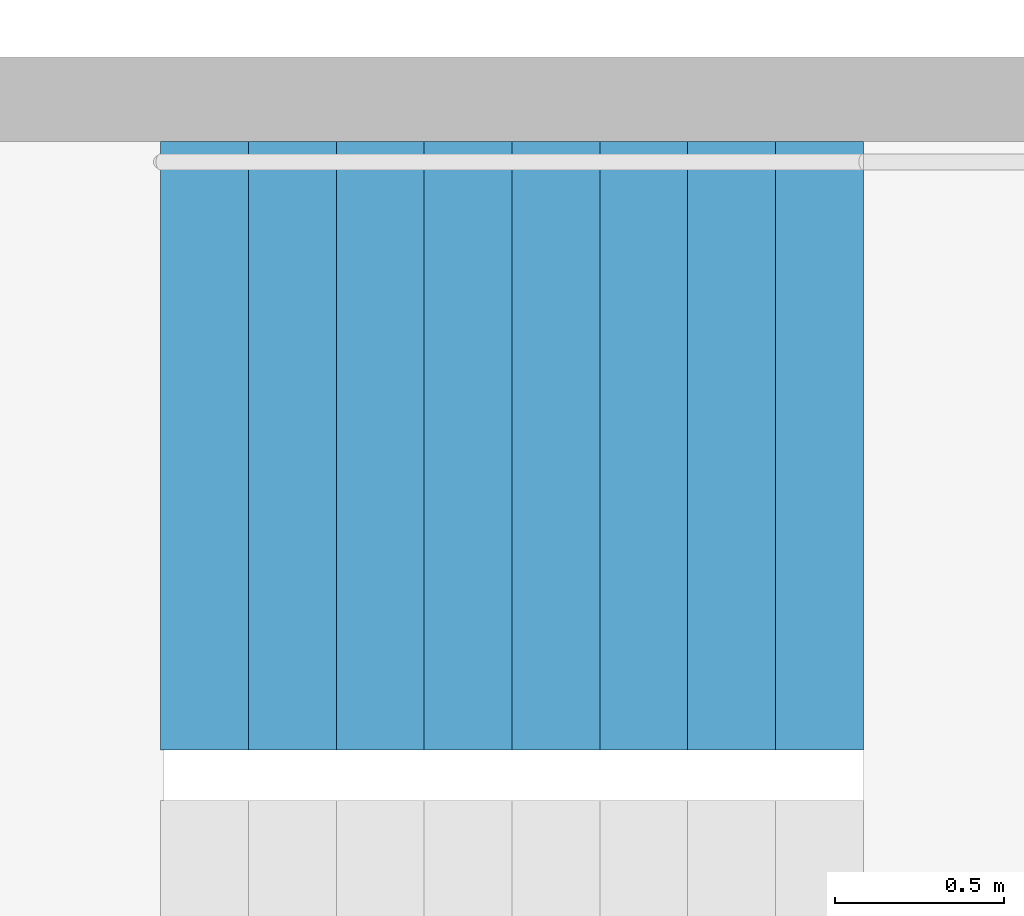
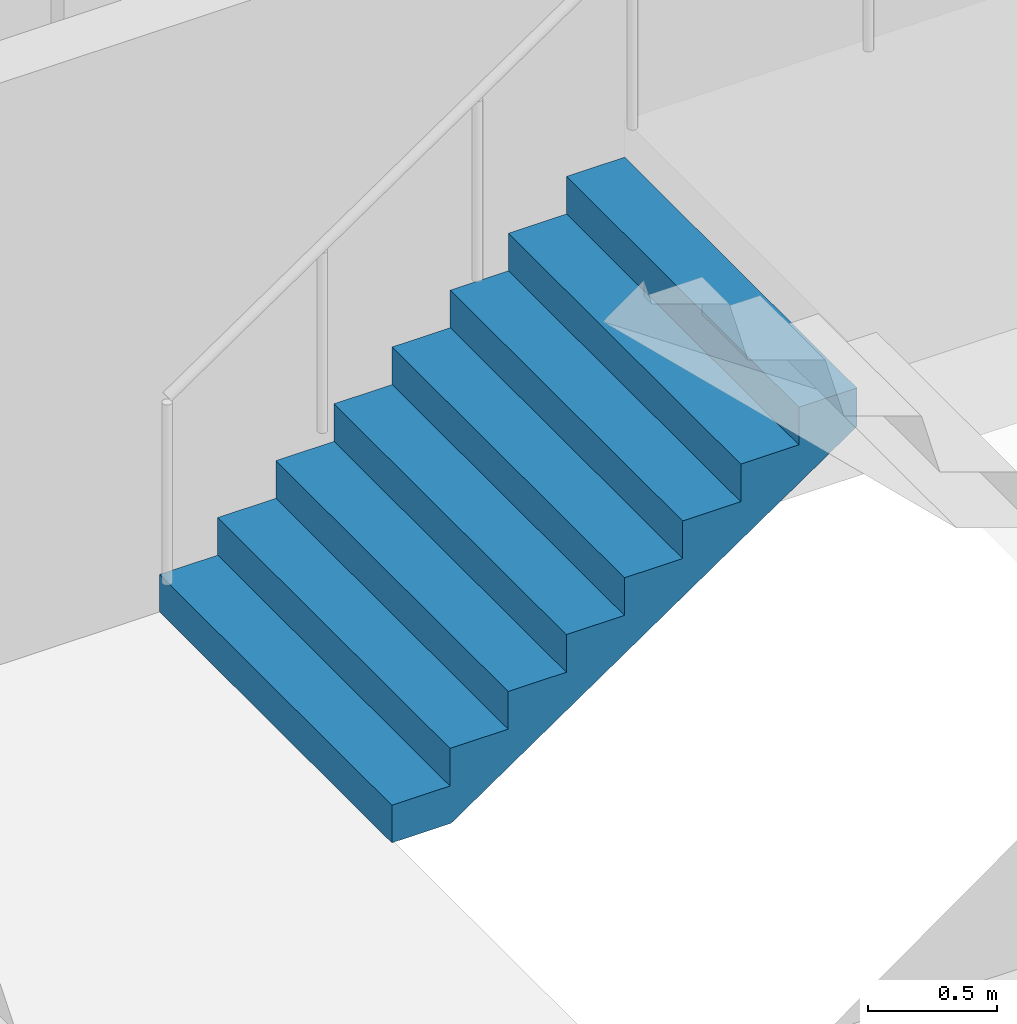
# One storey, part 22 of 25: 1 stair flight, 1 element without a shape of its own.
"""IFC4 building model written with IfcOpenShell, lengths in metres."""

import ifcopenshell
import ifcopenshell.guid

model = None  # the IFC model being written
_history = None  # IfcOwnerHistory: only IFC2X3 demands one
_inside = {}  # id of a spatial element -> (the spatial element, [elements in it])
_under = {}  # id of a project, library or spatial element -> (it, [spatial elements below it])
_declared = {}  # id of a project -> (the project, [libraries it declares])
_typed = {}  # id of a type object -> (the type object, [elements of that type])
_made_of = {}  # id of a material, layer set ... -> (it, [elements and type objects made of it])


def new_model(schema):
    """Start an empty IFC model of exactly this schema.

    Asked for "IFC4X3", IfcOpenShell would pick the latest addendum, in which some entities
    have other attributes; the version numbers below select the first issue.
    IFC2X3 requires an IfcOwnerHistory on every rooted entity: one is made here for all.
    """
    global model, _history
    if schema == "IFC4X3":
        model = ifcopenshell.file(schema_version=(4, 3, 0, 0))
    else:
        model = ifcopenshell.file(schema=schema)
    _inside.clear()
    _under.clear()
    _declared.clear()
    _typed.clear()
    _made_of.clear()
    _history = None
    if model.schema == "IFC2X3":
        org = make("IfcOrganization", Name="unknown")
        user = make(
            "IfcPersonAndOrganization",
            ThePerson=make("IfcPerson", FamilyName="unknown"),
            TheOrganization=org,
        )
        app = make(
            "IfcApplication",
            ApplicationDeveloper=org,
            Version="unknown",
            ApplicationFullName="unknown",
            ApplicationIdentifier="unknown",
        )
        _history = make(
            "IfcOwnerHistory",
            OwningUser=user,
            OwningApplication=app,
            ChangeAction="ADDED",
            CreationDate=0,
        )
    return model


def make(cls, **values):
    """One entity of the class cls with the attributes given. An attribute that is None is left unset."""
    return model.create_entity(
        cls, **{name: value for name, value in values.items() if value is not None}
    )


def rooted(cls, **values):
    """An entity with a GlobalId (a new one), such as an element, a storey or a relation."""
    return make(cls, GlobalId=ifcopenshell.guid.new(), OwnerHistory=_history, **values)


def si_unit(unit_type, name, prefix=None):
    """IfcSIUnit, for example si_unit("LENGTHUNIT", "METRE", prefix="MILLI")."""
    return make("IfcSIUnit", UnitType=unit_type, Prefix=prefix, Name=name)


def assignment(units):
    """IfcUnitAssignment: the units of a project."""
    return None if units is None else make("IfcUnitAssignment", Units=units)


def point(xyz):
    """IfcCartesianPoint."""
    return None if xyz is None else make("IfcCartesianPoint", Coordinates=xyz)


def direction(xyz):
    """IfcDirection."""
    return None if xyz is None else make("IfcDirection", DirectionRatios=xyz)


def frame(location, z_axis=None, x_axis=None):
    """IfcAxis2Placement3D, a coordinate frame: its origin and axes. An axis left out is left unset."""
    return make(
        "IfcAxis2Placement3D",
        Location=point(location),
        Axis=direction(z_axis),
        RefDirection=direction(x_axis),
    )


def origin():
    """The frame at (0, 0, 0) with its axes left unset."""
    return frame((0.0, 0.0, 0.0))


def place(relative_to, where):
    """IfcLocalPlacement: puts the frame where relative to a parent placement (None: the world)."""
    return make(
        "IfcLocalPlacement", PlacementRelTo=relative_to, RelativePlacement=where
    )


def context(
    kind, dimensions, precision=None, world=None, true_north=None, identifier=None
):
    """IfcGeometricRepresentationContext, for example the 3D "Model" context."""
    return make(
        "IfcGeometricRepresentationContext",
        ContextIdentifier=identifier,
        ContextType=kind,
        CoordinateSpaceDimension=dimensions,
        Precision=precision,
        WorldCoordinateSystem=world,
        TrueNorth=true_north,
    )


def subcontext(parent, identifier, kind, view, scale=None):
    """IfcGeometricRepresentationSubContext, for example "Body" below "Model"."""
    return make(
        "IfcGeometricRepresentationSubContext",
        ContextIdentifier=identifier,
        ContextType=kind,
        ParentContext=parent,
        TargetScale=scale,
        TargetView=view,
    )


def project(units=None, contexts=None):
    """IfcProject with its units and contexts."""
    return rooted(
        "IfcProject",
        Name="project",
        RepresentationContexts=contexts,
        UnitsInContext=assignment(units),
    )


def spatial(cls, under=None, at=None, **own):
    """A site, building, storey or space (cls), placed at a placement, below another one or the project."""
    s = rooted(cls, ObjectPlacement=at, **own)
    if under is not None:
        _under.setdefault(under.id(), (under, []))[1].append(s)
    return s


def point_list(points):
    """IfcCartesianPointList2D or 3D."""
    cls = (
        "IfcCartesianPointList2D" if len(points[0]) == 2 else "IfcCartesianPointList3D"
    )
    return make(cls, CoordList=points)


def triangles(points, corners, closed=None, point_numbers=None):
    """IfcTriangulatedFaceSet: each triangle names its three corners, points numbered from 1."""
    return make(
        "IfcTriangulatedFaceSet",
        Coordinates=point_list(points),
        Closed=closed,
        CoordIndex=corners,
        PnIndex=point_numbers,
    )


def shape(context_of_items, identifier, shape_type, items):
    """IfcShapeRepresentation: the items that make up one representation, for example the "Body"."""
    return make(
        "IfcShapeRepresentation",
        ContextOfItems=context_of_items,
        RepresentationIdentifier=identifier,
        RepresentationType=shape_type,
        Items=items,
    )


def material(Name=None, Category=None):
    """IfcMaterial."""
    return make("IfcMaterial", Name=Name, Category=Category)


def made_of(thing, what):
    """Note that an element or type object is made of a material, layer set ...; save() writes the relation."""
    if what is not None:
        _made_of.setdefault(what.id(), (what, []))[1].append(thing)
    return thing


def type_object(cls, material=None, **own):
    """A type object (cls), such as IfcWallType, which elements share."""
    return made_of(rooted(cls, **own), material)


def element(
    cls,
    number,
    at=None,
    inside=None,
    cuts=None,
    type_object=None,
    material=None,
    context=None,
    identifier="Body",
    shape_type=None,
    held_by="IfcProductDefinitionShape",
    body=None,
    shapes=None,
    **own,
):
    """One element of the class cls, such as IfcWall. Its Tag is "e" and its number.

    at: its placement. inside: the storey or other place that contains it. cuts: it is an
    opening in that element (IfcRelVoidsElement). A single representation is given by context,
    identifier, shape_type and body (its items); several are given by shapes. held_by: the class
    of the entity that holds the representations. save() writes the other relations.
    """
    e = rooted(cls, Tag="e%d" % number, ObjectPlacement=at, **own)
    if body is not None:
        shapes = [shape(context, identifier, shape_type, body)]
    if shapes is not None:
        e.Representation = make(held_by, Representations=shapes)
    if inside is not None:
        _inside.setdefault(inside.id(), (inside, []))[1].append(e)
    if cuts is not None:
        rooted(
            "IfcRelVoidsElement", RelatingBuildingElement=cuts, RelatedOpeningElement=e
        )
    if type_object is not None:
        _typed.setdefault(type_object.id(), (type_object, []))[1].append(e)
    return made_of(e, material)


def aggregate(whole, parts):
    """IfcRelAggregates: a whole, such as a stair, and the parts it consists of."""
    return rooted("IfcRelAggregates", RelatingObject=whole, RelatedObjects=parts)


def save(model, path):
    """Write the relations noted so far, then the file.

    IfcRelAggregates (storeys below a building ...), IfcRelContainedInSpatialStructure (elements
    in a storey), IfcRelDefinesByType, IfcRelAssociatesMaterial and IfcRelDeclares: one each for
    every whole, place, type object, material and project.
    """
    for whole, parts in _under.values():
        aggregate(whole, parts)
    for where, things in _inside.values():
        rooted(
            "IfcRelContainedInSpatialStructure",
            RelatedElements=things,
            RelatingStructure=where,
        )
    for kind, things in _typed.values():
        rooted("IfcRelDefinesByType", RelatedObjects=things, RelatingType=kind)
    for what, things in _made_of.values():
        rooted("IfcRelAssociatesMaterial", RelatedObjects=things, RelatingMaterial=what)
    for by, libraries in _declared.values():
        rooted("IfcRelDeclares", RelatingContext=by, RelatedDefinitions=libraries)
    model.write(path)


model = new_model("IFC4")

# Units and contexts
model_context = context("Model", 3, precision=1e-05, world=origin(), true_north=direction((0.0, 1.0)))
body_context = subcontext(model_context, "Body", "Model", "MODEL_VIEW")
ifc_project = project(units=[si_unit("LENGTHUNIT", "METRE"), si_unit("AREAUNIT", "SQUARE_METRE"), si_unit("VOLUMEUNIT", "CUBIC_METRE"), si_unit("PLANEANGLEUNIT", "RADIAN"), si_unit("MASSUNIT", "GRAM", prefix="KILO")], contexts=[model_context])

# Site, building, storey
site_placement = place(None, origin())
site = spatial("IfcSite", under=ifc_project, at=site_placement, CompositionType="ELEMENT")
building_placement = place(site_placement, origin())
building = spatial("IfcBuilding", under=site, at=building_placement, Name="Hakoniwa Tower and Hamabe Station Hall", CompositionType="ELEMENT")
storey_placement = place(building_placement, frame((0.0, 0.0, 147.0)))
storey = spatial("IfcBuildingStorey", under=building, at=storey_placement, Name="L41", CompositionType="ELEMENT", Elevation=147.0)

# Stair, stair flight
ifc_material_1 = material(Name="Concrete C40", Category="concrete")
stair_type = type_object("IfcStairType", Name="ESCAPE STAIR 1800", PredefinedType="HALF_TURN_STAIR", material=ifc_material_1)
stair_placement = place(storey_placement, origin())
stair = element("IfcStair", 1, at=stair_placement, inside=storey, type_object=stair_type, Name="Escape stair ST-4 L41", PredefinedType="HALF_TURN_STAIR")
ifc_material_2 = material(Name="Concrete C40", Category="concrete")
stair_flight_type = type_object("IfcStairFlightType", Name="STAIR FLIGHT 1800", PredefinedType="STRAIGHT", material=ifc_material_2)
stair_flight_placement = place(storey_placement, frame((23.39990234375, -4.64990234375, 0.0), z_axis=(0.0, 0.0, 1.0), x_axis=(1.0, 0.0, 0.0)))
stair_flight = element("IfcStairFlight", 2, at=stair_flight_placement, type_object=stair_flight_type, Name="ST-4 flight 1", NumberOfRisers=9, NumberOfTreads=8, PredefinedType="STRAIGHT", RiserHeight=0.177777778, TreadLength=0.26, context=body_context, shape_type="Tessellation", body=[
    triangles([(0.0, 0.89990234375, 0.0), (0.260009765625, 0.89990234375, 0.0), (0.265625, 0.89990234375, 0.0), (0.52001953125, 0.89990234375, 0.174072265625), (0.780029296875, 0.89990234375, 0.351806640625), (1.0400390625, 0.89990234375, 0.529541015625), (1.300048828125, 0.89990234375, 0.707275390625), (1.56005859375, 0.89990234375, 0.885009765625), (1.820068359375, 0.89990234375, 1.062744140625), (2.080078125, 0.89990234375, 1.24072265625), (2.080078125, 0.89990234375, 1.422119140625), (1.820068359375, 0.89990234375, 1.422119140625), (1.820068359375, 0.89990234375, 1.244384765625), (1.56005859375, 0.89990234375, 1.244384765625), (1.56005859375, 0.89990234375, 1.066650390625), (1.300048828125, 0.89990234375, 1.066650390625), (1.300048828125, 0.89990234375, 0.888916015625), (1.0400390625, 0.89990234375, 0.888916015625), (1.0400390625, 0.89990234375, 0.711181640625), (0.780029296875, 0.89990234375, 0.711181640625), (0.780029296875, 0.89990234375, 0.533447265625), (0.52001953125, 0.89990234375, 0.533447265625), (0.52001953125, 0.89990234375, 0.35546875), (0.265625, 0.89990234375, 0.35546875), (0.260009765625, 0.89990234375, 0.35546875), (0.260009765625, 0.89990234375, 0.177734375), (0.0, 0.89990234375, 0.177734375), (0.0, 0.06005859375, 0.0), (0.260009765625, 0.06005859375, 0.0), (0.265625, 0.06005859375, 0.0), (0.52001953125, 0.06005859375, 0.174072265625), (0.780029296875, 0.06005859375, 0.351806640625), (1.0400390625, 0.06005859375, 0.529541015625), (1.300048828125, 0.06005859375, 0.707275390625), (1.56005859375, 0.06005859375, 0.885009765625), (1.820068359375, 0.06005859375, 1.062744140625), (2.080078125, 0.06005859375, 1.24072265625), (2.080078125, 0.06005859375, 1.422119140625), (1.820068359375, 0.06005859375, 1.422119140625), (1.820068359375, 0.06005859375, 1.244384765625), (1.56005859375, 0.06005859375, 1.244384765625), (1.56005859375, 0.06005859375, 1.066650390625), (1.300048828125, 0.06005859375, 1.066650390625), (1.300048828125, 0.06005859375, 0.888916015625), (1.0400390625, 0.06005859375, 0.888916015625), (1.0400390625, 0.06005859375, 0.711181640625), (0.780029296875, 0.06005859375, 0.711181640625), (0.780029296875, 0.06005859375, 0.533447265625), (0.52001953125, 0.06005859375, 0.533447265625), (0.52001953125, 0.06005859375, 0.35546875), (0.265625, 0.06005859375, 0.35546875), (0.260009765625, 0.06005859375, 0.35546875), (0.260009765625, 0.06005859375, 0.177734375), (0.0, 0.06005859375, 0.177734375), (0.0, 0.04296875, 0.0), (0.260009765625, 0.04296875, 0.0), (0.265625, 0.04296875, 0.0), (0.52001953125, 0.04296875, 0.174072265625), (0.780029296875, 0.04296875, 0.351806640625), (1.0400390625, 0.04296875, 0.529541015625), (1.300048828125, 0.04296875, 0.707275390625), (1.56005859375, 0.04296875, 0.885009765625), (1.820068359375, 0.04296875, 1.062744140625), (2.080078125, 0.04296875, 1.24072265625), (2.080078125, 0.04296875, 1.422119140625), (1.820068359375, 0.04296875, 1.422119140625), (1.820068359375, 0.04296875, 1.244384765625), (1.56005859375, 0.04296875, 1.244384765625), (1.56005859375, 0.04296875, 1.066650390625), (1.300048828125, 0.04296875, 1.066650390625), (1.300048828125, 0.04296875, 0.888916015625), (1.0400390625, 0.04296875, 0.888916015625), (1.0400390625, 0.04296875, 0.711181640625), (0.780029296875, 0.04296875, 0.711181640625), (0.780029296875, 0.04296875, 0.533447265625), (0.52001953125, 0.04296875, 0.533447265625), (0.52001953125, 0.04296875, 0.35546875), (0.265625, 0.04296875, 0.35546875), (0.260009765625, 0.04296875, 0.35546875), (0.260009765625, 0.04296875, 0.177734375), (0.0, 0.04296875, 0.177734375), (0.0, 0.025634765625, 0.0), (0.260009765625, 0.025634765625, 0.0), (0.265625, 0.025634765625, 0.0), (0.52001953125, 0.025634765625, 0.174072265625), (0.780029296875, 0.025634765625, 0.351806640625), (1.0400390625, 0.025634765625, 0.529541015625), (1.300048828125, 0.025634765625, 0.707275390625), (1.56005859375, 0.025634765625, 0.885009765625), (1.820068359375, 0.025634765625, 1.062744140625), (2.080078125, 0.025634765625, 1.24072265625), (2.080078125, 0.025634765625, 1.422119140625), (1.820068359375, 0.025634765625, 1.422119140625), (1.820068359375, 0.025634765625, 1.244384765625), (1.56005859375, 0.025634765625, 1.244384765625), (1.56005859375, 0.025634765625, 1.066650390625), (1.300048828125, 0.025634765625, 1.066650390625), (1.300048828125, 0.025634765625, 0.888916015625), (1.0400390625, 0.025634765625, 0.888916015625), (1.0400390625, 0.025634765625, 0.711181640625), (0.780029296875, 0.025634765625, 0.711181640625), (0.780029296875, 0.025634765625, 0.533447265625), (0.52001953125, 0.025634765625, 0.533447265625), (0.52001953125, 0.025634765625, 0.35546875), (0.265625, 0.025634765625, 0.35546875), (0.260009765625, 0.025634765625, 0.35546875), (0.260009765625, 0.025634765625, 0.177734375), (0.0, 0.025634765625, 0.177734375), (0.0, 0.008544921875, 0.0), (0.260009765625, 0.008544921875, 0.0), (0.265625, 0.008544921875, 0.0), (0.52001953125, 0.008544921875, 0.174072265625), (0.780029296875, 0.008544921875, 0.351806640625), (1.0400390625, 0.008544921875, 0.529541015625), (1.300048828125, 0.008544921875, 0.707275390625), (1.56005859375, 0.008544921875, 0.885009765625), (1.820068359375, 0.008544921875, 1.062744140625), (2.080078125, 0.008544921875, 1.24072265625), (2.080078125, 0.008544921875, 1.422119140625), (1.820068359375, 0.008544921875, 1.422119140625), (1.820068359375, 0.008544921875, 1.244384765625), (1.56005859375, 0.008544921875, 1.244384765625), (1.56005859375, 0.008544921875, 1.066650390625), (1.300048828125, 0.008544921875, 1.066650390625), (1.300048828125, 0.008544921875, 0.888916015625), (1.0400390625, 0.008544921875, 0.888916015625), (1.0400390625, 0.008544921875, 0.711181640625), (0.780029296875, 0.008544921875, 0.711181640625), (0.780029296875, 0.008544921875, 0.533447265625), (0.52001953125, 0.008544921875, 0.533447265625), (0.52001953125, 0.008544921875, 0.35546875), (0.265625, 0.008544921875, 0.35546875), (0.260009765625, 0.008544921875, 0.35546875), (0.260009765625, 0.008544921875, 0.177734375), (0.0, 0.008544921875, 0.177734375), (0.0, -0.008544921875, 0.0), (0.260009765625, -0.008544921875, 0.0), (0.265625, -0.008544921875, 0.0), (0.52001953125, -0.008544921875, 0.174072265625), (0.780029296875, -0.008544921875, 0.351806640625), (1.0400390625, -0.008544921875, 0.529541015625), (1.300048828125, -0.008544921875, 0.707275390625), (1.56005859375, -0.008544921875, 0.885009765625), (1.820068359375, -0.008544921875, 1.062744140625), (2.080078125, -0.008544921875, 1.24072265625), (2.080078125, -0.008544921875, 1.422119140625), (1.820068359375, -0.008544921875, 1.422119140625), (1.820068359375, -0.008544921875, 1.244384765625), (1.56005859375, -0.008544921875, 1.244384765625), (1.56005859375, -0.008544921875, 1.066650390625), (1.300048828125, -0.008544921875, 1.066650390625), (1.300048828125, -0.008544921875, 0.888916015625), (1.0400390625, -0.008544921875, 0.888916015625), (1.0400390625, -0.008544921875, 0.711181640625), (0.780029296875, -0.008544921875, 0.711181640625), (0.780029296875, -0.008544921875, 0.533447265625), (0.52001953125, -0.008544921875, 0.533447265625), (0.52001953125, -0.008544921875, 0.35546875), (0.265625, -0.008544921875, 0.35546875), (0.260009765625, -0.008544921875, 0.35546875), (0.260009765625, -0.008544921875, 0.177734375), (0.0, -0.008544921875, 0.177734375), (0.0, -0.025634765625, 0.0), (0.260009765625, -0.025634765625, 0.0), (0.265625, -0.025634765625, 0.0), (0.52001953125, -0.025634765625, 0.174072265625), (0.780029296875, -0.025634765625, 0.351806640625), (1.0400390625, -0.025634765625, 0.529541015625), (1.300048828125, -0.025634765625, 0.707275390625), (1.56005859375, -0.025634765625, 0.885009765625), (1.820068359375, -0.025634765625, 1.062744140625), (2.080078125, -0.025634765625, 1.24072265625), (2.080078125, -0.025634765625, 1.422119140625), (1.820068359375, -0.025634765625, 1.422119140625), (1.820068359375, -0.025634765625, 1.244384765625), (1.56005859375, -0.025634765625, 1.244384765625), (1.56005859375, -0.025634765625, 1.066650390625), (1.300048828125, -0.025634765625, 1.066650390625), (1.300048828125, -0.025634765625, 0.888916015625), (1.0400390625, -0.025634765625, 0.888916015625), (1.0400390625, -0.025634765625, 0.711181640625), (0.780029296875, -0.025634765625, 0.711181640625), (0.780029296875, -0.025634765625, 0.533447265625), (0.52001953125, -0.025634765625, 0.533447265625), (0.52001953125, -0.025634765625, 0.35546875), (0.265625, -0.025634765625, 0.35546875), (0.260009765625, -0.025634765625, 0.35546875), (0.260009765625, -0.025634765625, 0.177734375), (0.0, -0.025634765625, 0.177734375), (0.0, -0.04296875, 0.0), (0.260009765625, -0.04296875, 0.0), (0.265625, -0.04296875, 0.0), (0.52001953125, -0.04296875, 0.174072265625), (0.780029296875, -0.04296875, 0.351806640625), (1.0400390625, -0.04296875, 0.529541015625), (1.300048828125, -0.04296875, 0.707275390625), (1.56005859375, -0.04296875, 0.885009765625), (1.820068359375, -0.04296875, 1.062744140625), (2.080078125, -0.04296875, 1.24072265625), (2.080078125, -0.04296875, 1.422119140625), (1.820068359375, -0.04296875, 1.422119140625), (1.820068359375, -0.04296875, 1.244384765625), (1.56005859375, -0.04296875, 1.244384765625), (1.56005859375, -0.04296875, 1.066650390625), (1.300048828125, -0.04296875, 1.066650390625), (1.300048828125, -0.04296875, 0.888916015625), (1.0400390625, -0.04296875, 0.888916015625), (1.0400390625, -0.04296875, 0.711181640625), (0.780029296875, -0.04296875, 0.711181640625), (0.780029296875, -0.04296875, 0.533447265625), (0.52001953125, -0.04296875, 0.533447265625), (0.52001953125, -0.04296875, 0.35546875), (0.265625, -0.04296875, 0.35546875), (0.260009765625, -0.04296875, 0.35546875), (0.260009765625, -0.04296875, 0.177734375), (0.0, -0.04296875, 0.177734375), (0.0, -0.06005859375, 0.0), (0.260009765625, -0.06005859375, 0.0), (0.265625, -0.06005859375, 0.0), (0.52001953125, -0.06005859375, 0.174072265625), (0.780029296875, -0.06005859375, 0.351806640625), (1.0400390625, -0.06005859375, 0.529541015625), (1.300048828125, -0.06005859375, 0.707275390625), (1.56005859375, -0.06005859375, 0.885009765625), (1.820068359375, -0.06005859375, 1.062744140625), (2.080078125, -0.06005859375, 1.24072265625), (2.080078125, -0.06005859375, 1.422119140625), (1.820068359375, -0.06005859375, 1.422119140625), (1.820068359375, -0.06005859375, 1.244384765625), (1.56005859375, -0.06005859375, 1.244384765625), (1.56005859375, -0.06005859375, 1.066650390625), (1.300048828125, -0.06005859375, 1.066650390625), (1.300048828125, -0.06005859375, 0.888916015625), (1.0400390625, -0.06005859375, 0.888916015625), (1.0400390625, -0.06005859375, 0.711181640625), (0.780029296875, -0.06005859375, 0.711181640625), (0.780029296875, -0.06005859375, 0.533447265625), (0.52001953125, -0.06005859375, 0.533447265625), (0.52001953125, -0.06005859375, 0.35546875), (0.265625, -0.06005859375, 0.35546875), (0.260009765625, -0.06005859375, 0.35546875), (0.260009765625, -0.06005859375, 0.177734375), (0.0, -0.06005859375, 0.177734375), (0.0, -0.89990234375, 0.0), (0.260009765625, -0.89990234375, 0.0), (0.265625, -0.89990234375, 0.0), (0.52001953125, -0.89990234375, 0.174072265625), (0.780029296875, -0.89990234375, 0.351806640625), (1.0400390625, -0.89990234375, 0.529541015625), (1.300048828125, -0.89990234375, 0.707275390625), (1.56005859375, -0.89990234375, 0.885009765625), (1.820068359375, -0.89990234375, 1.062744140625), (2.080078125, -0.89990234375, 1.24072265625), (2.080078125, -0.89990234375, 1.422119140625), (1.820068359375, -0.89990234375, 1.422119140625), (1.820068359375, -0.89990234375, 1.244384765625), (1.56005859375, -0.89990234375, 1.244384765625), (1.56005859375, -0.89990234375, 1.066650390625), (1.300048828125, -0.89990234375, 1.066650390625), (1.300048828125, -0.89990234375, 0.888916015625), (1.0400390625, -0.89990234375, 0.888916015625), (1.0400390625, -0.89990234375, 0.711181640625), (0.780029296875, -0.89990234375, 0.711181640625), (0.780029296875, -0.89990234375, 0.533447265625), (0.52001953125, -0.89990234375, 0.533447265625), (0.52001953125, -0.89990234375, 0.35546875), (0.265625, -0.89990234375, 0.35546875), (0.260009765625, -0.89990234375, 0.35546875), (0.260009765625, -0.89990234375, 0.177734375), (0.0, -0.89990234375, 0.177734375)], [[2, 27, 26], [245, 269, 270], [2, 1, 27], [245, 270, 244], [3, 25, 24], [246, 267, 268], [3, 26, 25], [246, 268, 269], [3, 2, 26], [246, 269, 245], [4, 24, 23], [247, 266, 267], [4, 3, 24], [247, 267, 246], [5, 22, 21], [248, 264, 265], [5, 23, 22], [248, 265, 266], [5, 4, 23], [248, 266, 247], [6, 20, 19], [249, 262, 263], [6, 21, 20], [249, 263, 264], [6, 5, 21], [249, 264, 248], [7, 18, 17], [250, 260, 261], [7, 19, 18], [250, 261, 262], [7, 6, 19], [250, 262, 249], [8, 16, 15], [251, 258, 259], [8, 17, 16], [251, 259, 260], [8, 7, 17], [251, 260, 250], [9, 14, 13], [252, 256, 257], [9, 15, 14], [252, 257, 258], [9, 8, 15], [252, 258, 251], [10, 12, 11], [253, 254, 255], [10, 13, 12], [253, 255, 256], [10, 9, 13], [253, 256, 252], [1, 2, 29], [1, 29, 28], [28, 29, 56], [28, 56, 55], [55, 56, 83], [55, 83, 82], [82, 83, 110], [82, 110, 109], [109, 110, 137], [109, 137, 136], [136, 137, 164], [136, 164, 163], [163, 164, 191], [163, 191, 190], [190, 191, 218], [190, 218, 217], [217, 218, 245], [217, 245, 244], [2, 3, 30], [2, 30, 29], [29, 30, 57], [29, 57, 56], [56, 57, 84], [56, 84, 83], [83, 84, 111], [83, 111, 110], [110, 111, 138], [110, 138, 137], [137, 138, 165], [137, 165, 164], [164, 165, 192], [164, 192, 191], [191, 192, 219], [191, 219, 218], [218, 219, 246], [218, 246, 245], [3, 4, 31], [3, 31, 30], [30, 31, 58], [30, 58, 57], [57, 58, 85], [57, 85, 84], [84, 85, 112], [84, 112, 111], [111, 112, 139], [111, 139, 138], [138, 139, 166], [138, 166, 165], [165, 166, 193], [165, 193, 192], [192, 193, 220], [192, 220, 219], [219, 220, 247], [219, 247, 246], [4, 5, 32], [4, 32, 31], [31, 32, 59], [31, 59, 58], [58, 59, 86], [58, 86, 85], [85, 86, 113], [85, 113, 112], [112, 113, 140], [112, 140, 139], [139, 140, 167], [139, 167, 166], [166, 167, 194], [166, 194, 193], [193, 194, 221], [193, 221, 220], [220, 221, 248], [220, 248, 247], [5, 6, 33], [5, 33, 32], [32, 33, 60], [32, 60, 59], [59, 60, 87], [59, 87, 86], [86, 87, 114], [86, 114, 113], [113, 114, 141], [113, 141, 140], [140, 141, 168], [140, 168, 167], [167, 168, 195], [167, 195, 194], [194, 195, 222], [194, 222, 221], [221, 222, 249], [221, 249, 248], [6, 7, 34], [6, 34, 33], [33, 34, 61], [33, 61, 60], [60, 61, 88], [60, 88, 87], [87, 88, 115], [87, 115, 114], [114, 115, 142], [114, 142, 141], [141, 142, 169], [141, 169, 168], [168, 169, 196], [168, 196, 195], [195, 196, 223], [195, 223, 222], [222, 223, 250], [222, 250, 249], [7, 8, 35], [7, 35, 34], [34, 35, 62], [34, 62, 61], [61, 62, 89], [61, 89, 88], [88, 89, 116], [88, 116, 115], [115, 116, 143], [115, 143, 142], [142, 143, 170], [142, 170, 169], [169, 170, 197], [169, 197, 196], [196, 197, 224], [196, 224, 223], [223, 224, 251], [223, 251, 250], [8, 9, 36], [8, 36, 35], [35, 36, 63], [35, 63, 62], [62, 63, 90], [62, 90, 89], [89, 90, 117], [89, 117, 116], [116, 117, 144], [116, 144, 143], [143, 144, 171], [143, 171, 170], [170, 171, 198], [170, 198, 197], [197, 198, 225], [197, 225, 224], [224, 225, 252], [224, 252, 251], [9, 10, 37], [9, 37, 36], [36, 37, 64], [36, 64, 63], [63, 64, 91], [63, 91, 90], [90, 91, 118], [90, 118, 117], [117, 118, 145], [117, 145, 144], [144, 145, 172], [144, 172, 171], [171, 172, 199], [171, 199, 198], [198, 199, 226], [198, 226, 225], [225, 226, 253], [225, 253, 252], [10, 11, 38], [10, 38, 37], [37, 38, 65], [37, 65, 64], [64, 65, 92], [64, 92, 91], [91, 92, 119], [91, 119, 118], [118, 119, 146], [118, 146, 145], [145, 146, 173], [145, 173, 172], [172, 173, 200], [172, 200, 199], [199, 200, 227], [199, 227, 226], [226, 227, 254], [226, 254, 253], [11, 12, 39], [11, 39, 38], [38, 39, 66], [38, 66, 65], [65, 66, 93], [65, 93, 92], [92, 93, 120], [92, 120, 119], [119, 120, 147], [119, 147, 146], [146, 147, 174], [146, 174, 173], [173, 174, 201], [173, 201, 200], [200, 201, 228], [200, 228, 227], [227, 228, 255], [227, 255, 254], [12, 13, 40], [12, 40, 39], [39, 40, 67], [39, 67, 66], [66, 67, 94], [66, 94, 93], [93, 94, 121], [93, 121, 120], [120, 121, 148], [120, 148, 147], [147, 148, 175], [147, 175, 174], [174, 175, 202], [174, 202, 201], [201, 202, 229], [201, 229, 228], [228, 229, 256], [228, 256, 255], [13, 14, 41], [13, 41, 40], [40, 41, 68], [40, 68, 67], [67, 68, 95], [67, 95, 94], [94, 95, 122], [94, 122, 121], [121, 122, 149], [121, 149, 148], [148, 149, 176], [148, 176, 175], [175, 176, 203], [175, 203, 202], [202, 203, 230], [202, 230, 229], [229, 230, 257], [229, 257, 256], [14, 15, 42], [14, 42, 41], [41, 42, 69], [41, 69, 68], [68, 69, 96], [68, 96, 95], [95, 96, 123], [95, 123, 122], [122, 123, 150], [122, 150, 149], [149, 150, 177], [149, 177, 176], [176, 177, 204], [176, 204, 203], [203, 204, 231], [203, 231, 230], [230, 231, 258], [230, 258, 257], [15, 16, 43], [15, 43, 42], [42, 43, 70], [42, 70, 69], [69, 70, 97], [69, 97, 96], [96, 97, 124], [96, 124, 123], [123, 124, 151], [123, 151, 150], [150, 151, 178], [150, 178, 177], [177, 178, 205], [177, 205, 204], [204, 205, 232], [204, 232, 231], [231, 232, 259], [231, 259, 258], [16, 17, 44], [16, 44, 43], [43, 44, 71], [43, 71, 70], [70, 71, 98], [70, 98, 97], [97, 98, 125], [97, 125, 124], [124, 125, 152], [124, 152, 151], [151, 152, 179], [151, 179, 178], [178, 179, 206], [178, 206, 205], [205, 206, 233], [205, 233, 232], [232, 233, 260], [232, 260, 259], [17, 18, 45], [17, 45, 44], [44, 45, 72], [44, 72, 71], [71, 72, 99], [71, 99, 98], [98, 99, 126], [98, 126, 125], [125, 126, 153], [125, 153, 152], [152, 153, 180], [152, 180, 179], [179, 180, 207], [179, 207, 206], [206, 207, 234], [206, 234, 233], [233, 234, 261], [233, 261, 260], [18, 19, 46], [18, 46, 45], [45, 46, 73], [45, 73, 72], [72, 73, 100], [72, 100, 99], [99, 100, 127], [99, 127, 126], [126, 127, 154], [126, 154, 153], [153, 154, 181], [153, 181, 180], [180, 181, 208], [180, 208, 207], [207, 208, 235], [207, 235, 234], [234, 235, 262], [234, 262, 261], [19, 20, 47], [19, 47, 46], [46, 47, 74], [46, 74, 73], [73, 74, 101], [73, 101, 100], [100, 101, 128], [100, 128, 127], [127, 128, 155], [127, 155, 154], [154, 155, 182], [154, 182, 181], [181, 182, 209], [181, 209, 208], [208, 209, 236], [208, 236, 235], [235, 236, 263], [235, 263, 262], [20, 21, 48], [20, 48, 47], [47, 48, 75], [47, 75, 74], [74, 75, 102], [74, 102, 101], [101, 102, 129], [101, 129, 128], [128, 129, 156], [128, 156, 155], [155, 156, 183], [155, 183, 182], [182, 183, 210], [182, 210, 209], [209, 210, 237], [209, 237, 236], [236, 237, 264], [236, 264, 263], [21, 22, 49], [21, 49, 48], [48, 49, 76], [48, 76, 75], [75, 76, 103], [75, 103, 102], [102, 103, 130], [102, 130, 129], [129, 130, 157], [129, 157, 156], [156, 157, 184], [156, 184, 183], [183, 184, 211], [183, 211, 210], [210, 211, 238], [210, 238, 237], [237, 238, 265], [237, 265, 264], [22, 23, 50], [22, 50, 49], [49, 50, 77], [49, 77, 76], [76, 77, 104], [76, 104, 103], [103, 104, 131], [103, 131, 130], [130, 131, 158], [130, 158, 157], [157, 158, 185], [157, 185, 184], [184, 185, 212], [184, 212, 211], [211, 212, 239], [211, 239, 238], [238, 239, 266], [238, 266, 265], [23, 24, 51], [23, 51, 50], [50, 51, 78], [50, 78, 77], [77, 78, 105], [77, 105, 104], [104, 105, 132], [104, 132, 131], [131, 132, 159], [131, 159, 158], [158, 159, 186], [158, 186, 185], [185, 186, 213], [185, 213, 212], [212, 213, 240], [212, 240, 239], [239, 240, 267], [239, 267, 266], [24, 25, 52], [24, 52, 51], [51, 52, 79], [51, 79, 78], [78, 79, 106], [78, 106, 105], [105, 106, 133], [105, 133, 132], [132, 133, 160], [132, 160, 159], [159, 160, 187], [159, 187, 186], [186, 187, 214], [186, 214, 213], [213, 214, 241], [213, 241, 240], [240, 241, 268], [240, 268, 267], [25, 26, 53], [25, 53, 52], [52, 53, 80], [52, 80, 79], [79, 80, 107], [79, 107, 106], [106, 107, 134], [106, 134, 133], [133, 134, 161], [133, 161, 160], [160, 161, 188], [160, 188, 187], [187, 188, 215], [187, 215, 214], [214, 215, 242], [214, 242, 241], [241, 242, 269], [241, 269, 268], [26, 27, 54], [26, 54, 53], [53, 54, 81], [53, 81, 80], [80, 81, 108], [80, 108, 107], [107, 108, 135], [107, 135, 134], [134, 135, 162], [134, 162, 161], [161, 162, 189], [161, 189, 188], [188, 189, 216], [188, 216, 215], [215, 216, 243], [215, 243, 242], [242, 243, 270], [242, 270, 269], [27, 1, 28], [27, 28, 54], [54, 28, 55], [54, 55, 81], [81, 55, 82], [81, 82, 108], [108, 82, 109], [108, 109, 135], [135, 109, 136], [135, 136, 162], [162, 136, 163], [162, 163, 189], [189, 163, 190], [189, 190, 216], [216, 190, 217], [216, 217, 243], [243, 217, 244], [243, 244, 270]], closed=True),
])
aggregate(stair, [stair_flight])

save(model, "model.ifc")
